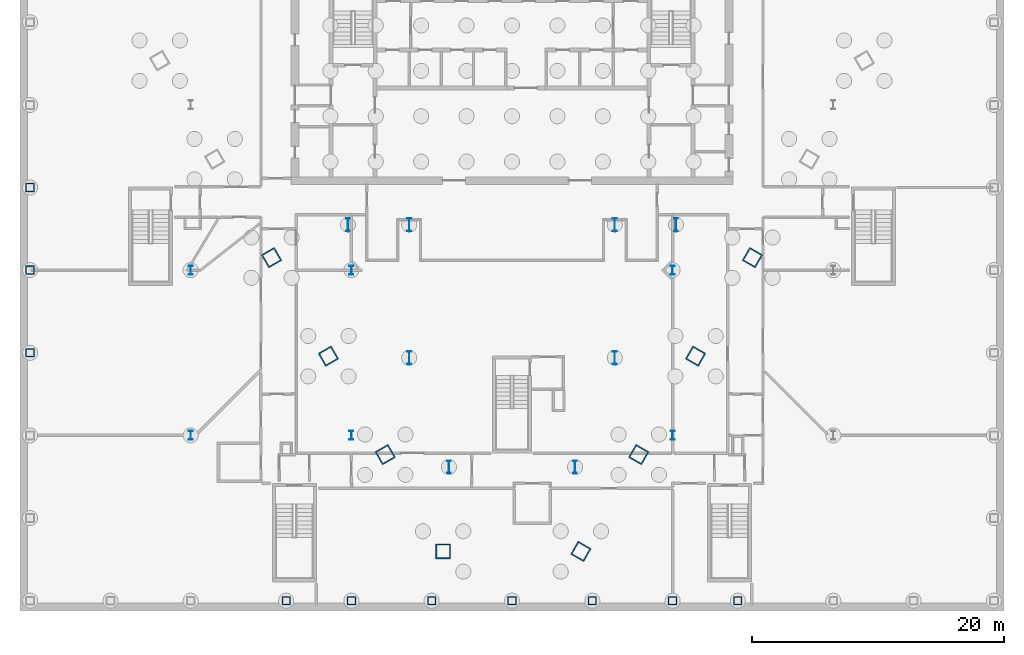
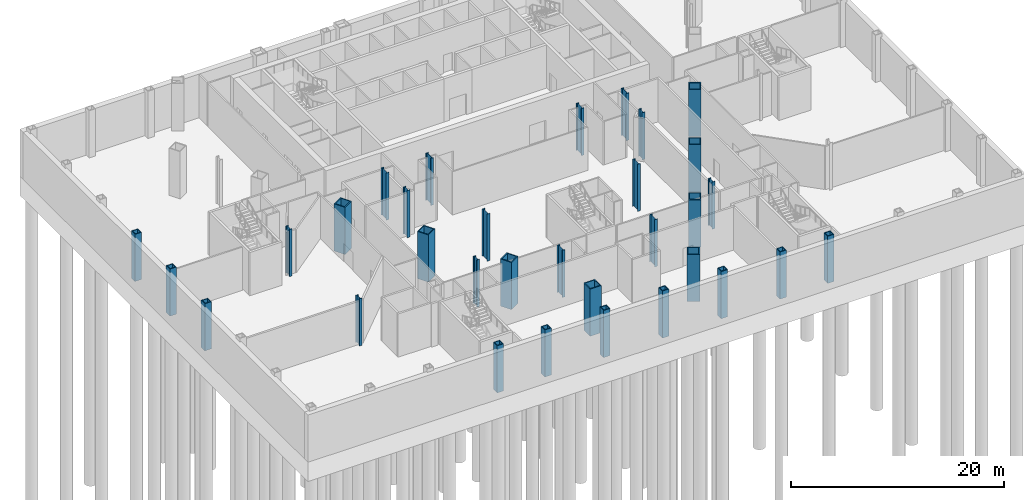
# One storey, part 2 of 19: 32 columns.
"""IFC4 building model written with IfcOpenShell, lengths in metres."""

from ifc_helpers import new_model, si_unit, direction, frame, origin, origin_2d, place, context, subcontext, project, spatial, hollow_rectangle, i_section, extrude, material, material_profile, profile_set, type_object, element, save


model = new_model("IFC4")

# Units and contexts
model_context = context("Model", 3, precision=1e-05, world=origin(), true_north=direction((0.0, 1.0)))
body_context = subcontext(model_context, "Body", "Model", "MODEL_VIEW")
ifc_project = project(units=[si_unit("LENGTHUNIT", "METRE"), si_unit("AREAUNIT", "SQUARE_METRE"), si_unit("VOLUMEUNIT", "CUBIC_METRE"), si_unit("PLANEANGLEUNIT", "RADIAN"), si_unit("MASSUNIT", "GRAM", prefix="KILO")], contexts=[model_context])

# Site, building, storey
site_placement = place(None, origin())
site = spatial("IfcSite", under=ifc_project, at=site_placement, CompositionType="ELEMENT")
building_placement = place(site_placement, origin())
building = spatial("IfcBuilding", under=site, at=building_placement, Name="Njiva Tower", CompositionType="ELEMENT")
storey_placement = place(building_placement, frame((0.0, 0.0, -16.8)))
storey = spatial("IfcBuildingStorey", under=building, at=storey_placement, Name="B3", CompositionType="ELEMENT", Elevation=-16.8)

# Columns
ifc_material = material(Name="Steel S355 J2", Category="steel")
ifc_material_profile_1 = material_profile(ifc_material, hollow_rectangle(XDim=1.2, YDim=1.2, WallThickness=0.1, at=origin_2d()), Name="BOX 1200x1200x100")
ifc_profile_set_1 = profile_set([ifc_material_profile_1], Name="Steel S355 J2")
column_type_1 = type_object("IfcColumnType", Name="C1 Mega-column BOX 1200x1200x100", PredefinedType="COLUMN", material=ifc_profile_set_1)
for number, where, z_axis, x_axis, name in (
    (1, (-19.061, -5.807, 0.0), (0.0, 0.0, 1.0), (0.5, -0.866025403784, 0.0), "Mega-column B3-C09"),
    (2, (-14.553, -13.615, 0.0), (0.0, 0.0, 1.0), (0.5, -0.866025403784, 0.0), "Mega-column B3-C10"),
    (3, (-10.046, -21.422, 0.0), (0.0, 0.0, 1.0), (0.5, -0.866025403784, 0.0), "Mega-column B3-C11"),
    (4, (-5.461, -29.096, 0.0), (0.0, 0.0, 1.0), (1.0, 0.0, 0.0), "Mega-column B3-C12"),
    (5, (5.461, -29.096, 0.0), (0.0, 0.0, 1.0), (0.5, 0.866025403784, 0.0), "Mega-column B3-C13"),
    (6, (10.046, -21.422, 0.0), (0.0, 0.0, 1.0), (0.5, 0.866025403784, 0.0), "Mega-column B3-C14"),
    (7, (14.553, -13.615, 0.0), (0.0, 0.0, 1.0), (0.5, 0.866025403784, 0.0), "Mega-column B3-C15"),
    (8, (19.061, -5.807, 0.0), (0.0, 0.0, 1.0), (0.5, 0.866025403784, 0.0), "Mega-column B3-C16"),
):
    element("IfcColumn", number, at=place(storey_placement, frame(where, z_axis=z_axis, x_axis=x_axis)), inside=storey, type_object=column_type_1, Name=name, PredefinedType="COLUMN", context=body_context, shape_type="SweptSolid", body=[
        extrude(hollow_rectangle(XDim=1.2, YDim=1.2, WallThickness=0.1, at=origin_2d()), origin(), (0.0, 0.0, 1.0), 5.4),
    ])
ifc_material_profile_2 = material_profile(ifc_material, i_section(OverallWidth=0.302, OverallDepth=1.008, WebThickness=0.021, FlangeThickness=0.04, at=origin_2d()), Name="HEM 1000")
ifc_profile_set_2 = profile_set([ifc_material_profile_2], Name="Steel S355 J2")
column_type_2 = type_object("IfcColumnType", Name="C2 Interior column HEM 1000", PredefinedType="COLUMN", material=ifc_profile_set_2)
for number, where, z_axis, x_axis, name in (
    (9, (8.15, -3.2, 0.0), (0.0, 0.0, 1.0), (1.0, 0.0, 0.0), "Interior column B3-C19"),
    (10, (-8.15, -3.2, 0.0), (0.0, 0.0, 1.0), (1.0, 0.0, 0.0), "Interior column B3-C20"),
    (11, (8.15, -13.75, 0.0), (0.0, 0.0, 1.0), (1.0, 0.0, 0.0), "Interior column B3-C21"),
    (12, (-8.15, -13.75, 0.0), (0.0, 0.0, 1.0), (1.0, 0.0, 0.0), "Interior column B3-C22"),
    (13, (5.0, -22.4, 0.0), (0.0, 0.0, 1.0), (1.0, 0.0, 0.0), "Interior column B3-C23"),
    (14, (-5.0, -22.4, 0.0), (0.0, 0.0, 1.0), (1.0, 0.0, 0.0), "Interior column B3-C24"),
    (15, (13.0, -3.2, 0.0), (0.0, 0.0, 1.0), (1.0, 0.0, 0.0), "Interior column B3-C25"),
    (16, (-13.0, -3.2, 0.0), (0.0, 0.0, 1.0), (1.0, 0.0, 0.0), "Interior column B3-C26"),
):
    element("IfcColumn", number, at=place(storey_placement, frame(where, z_axis=z_axis, x_axis=x_axis)), inside=storey, type_object=column_type_2, Name=name, PredefinedType="COLUMN", context=body_context, shape_type="SweptSolid", body=[
        extrude(i_section(OverallWidth=0.302, OverallDepth=1.008, WebThickness=0.021, FlangeThickness=0.04, at=origin_2d()), origin(), (0.0, 0.0, 1.0), 5.4),
    ])
ifc_material_profile_3 = material_profile(ifc_material, hollow_rectangle(XDim=0.7, YDim=0.7, WallThickness=0.08, at=origin_2d()), Name="BOX 700x700x80")
ifc_profile_set_3 = profile_set([ifc_material_profile_3], Name="Steel S355 J2")
column_type_3 = type_object("IfcColumnType", Name="C3 Podium perimeter column BOX 700x700x80", PredefinedType="COLUMN", material=ifc_profile_set_3)
for number, where, z_axis, x_axis, name in (
    (17, (-38.2, -0.25, 0.0), (0.0, 0.0, 1.0), (0.0, -1.0, 0.0), "Podium perimeter column B3-C45"),
    (18, (-38.2, -6.8, 0.0), (0.0, 0.0, 1.0), (0.0, -1.0, 0.0), "Podium perimeter column B3-C46"),
    (19, (-38.2, -13.35, 0.0), (0.0, 0.0, 1.0), (0.0, -1.0, 0.0), "Podium perimeter column B3-C47"),
    (20, (-17.9, -33.0, 0.0), (0.0, 0.0, 1.0), (1.0, 0.0, 0.0), "Podium perimeter column B3-C53"),
    (21, (-12.733, -33.0, 0.0), (0.0, 0.0, 1.0), (1.0, 0.0, 0.0), "Podium perimeter column B3-C54"),
    (22, (-6.367, -33.0, 0.0), (0.0, 0.0, 1.0), (1.0, 0.0, 0.0), "Podium perimeter column B3-C55"),
    (23, (0.0, -33.0, 0.0), (0.0, 0.0, 1.0), (1.0, 0.0, 0.0), "Podium perimeter column B3-C56"),
    (24, (6.367, -33.0, 0.0), (0.0, 0.0, 1.0), (1.0, 0.0, 0.0), "Podium perimeter column B3-C57"),
    (25, (12.733, -33.0, 0.0), (0.0, 0.0, 1.0), (1.0, 0.0, 0.0), "Podium perimeter column B3-C58"),
    (26, (17.9, -33.0, 0.0), (0.0, 0.0, 1.0), (1.0, 0.0, 0.0), "Podium perimeter column B3-C59"),
):
    element("IfcColumn", number, at=place(storey_placement, frame(where, z_axis=z_axis, x_axis=x_axis)), inside=storey, type_object=column_type_3, Name=name, PredefinedType="COLUMN", context=body_context, shape_type="SweptSolid", body=[
        extrude(hollow_rectangle(XDim=0.7, YDim=0.7, WallThickness=0.08, at=origin_2d()), origin(), (0.0, 0.0, 1.0), 5.4),
    ])
ifc_material_profile_4 = material_profile(ifc_material, i_section(OverallWidth=0.304, OverallDepth=0.716, WebThickness=0.021, FlangeThickness=0.04, at=origin_2d()), Name="HEM 700")
ifc_profile_set_4 = profile_set([ifc_material_profile_4], Name="Steel S355 J2")
column_type_4 = type_object("IfcColumnType", Name="C4 Station column HEM 700", PredefinedType="COLUMN", material=ifc_profile_set_4)
for number, where, z_axis, x_axis, name in (
    (27, (-25.467, -6.8, 0.0), (0.0, 0.0, 1.0), (1.0, 0.0, 0.0), "Station column B3-C63"),
    (28, (-25.467, -19.9, 0.0), (0.0, 0.0, 1.0), (1.0, 0.0, 0.0), "Station column B3-C64"),
    (29, (-12.733, -6.8, 0.0), (0.0, 0.0, 1.0), (1.0, 0.0, 0.0), "Station column B3-C65"),
    (30, (-12.733, -19.9, 0.0), (0.0, 0.0, 1.0), (1.0, 0.0, 0.0), "Station column B3-C66"),
    (31, (12.733, -6.8, 0.0), (0.0, 0.0, 1.0), (1.0, 0.0, 0.0), "Station column B3-C67"),
    (32, (12.733, -19.9, 0.0), (0.0, 0.0, 1.0), (1.0, 0.0, 0.0), "Station column B3-C68"),
):
    element("IfcColumn", number, at=place(storey_placement, frame(where, z_axis=z_axis, x_axis=x_axis)), inside=storey, type_object=column_type_4, Name=name, PredefinedType="COLUMN", context=body_context, shape_type="SweptSolid", body=[
        extrude(i_section(OverallWidth=0.304, OverallDepth=0.716, WebThickness=0.021, FlangeThickness=0.04, at=origin_2d()), origin(), (0.0, 0.0, 1.0), 5.4),
    ])

save(model, "model.ifc")
